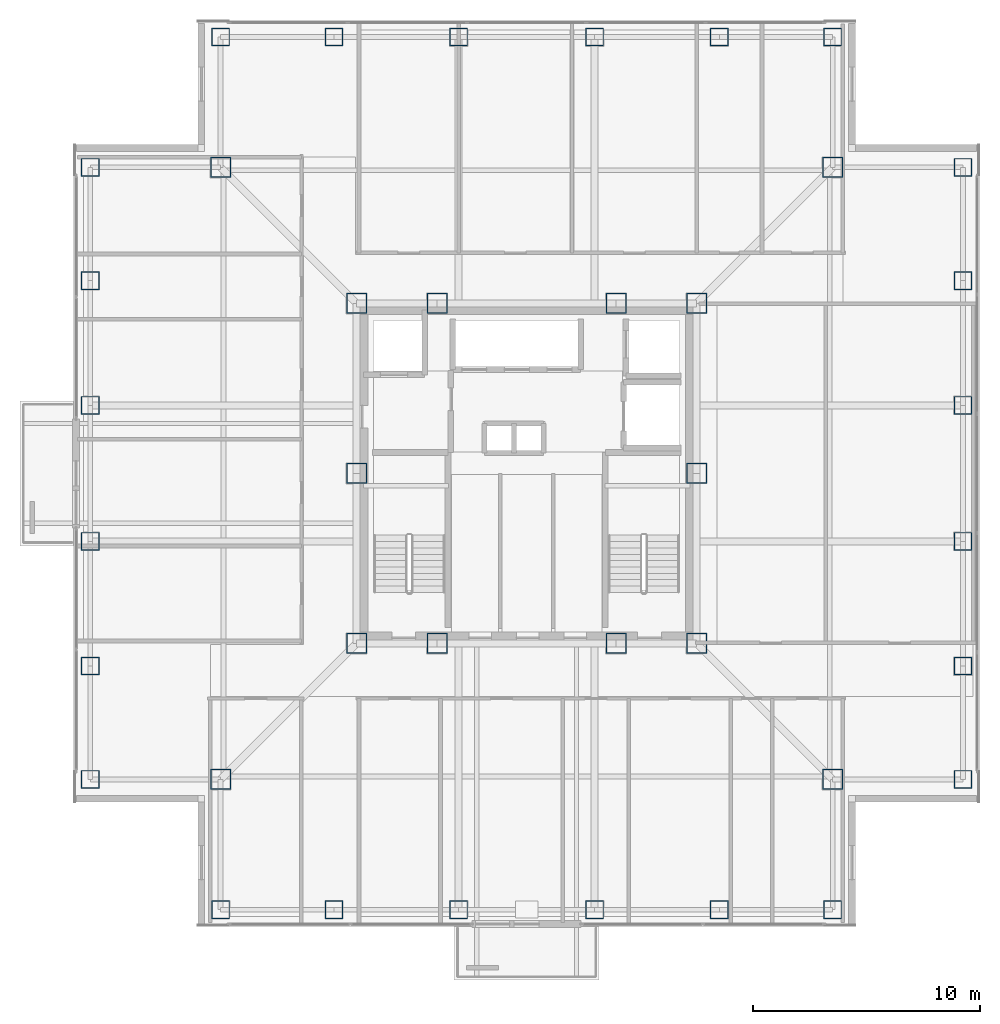
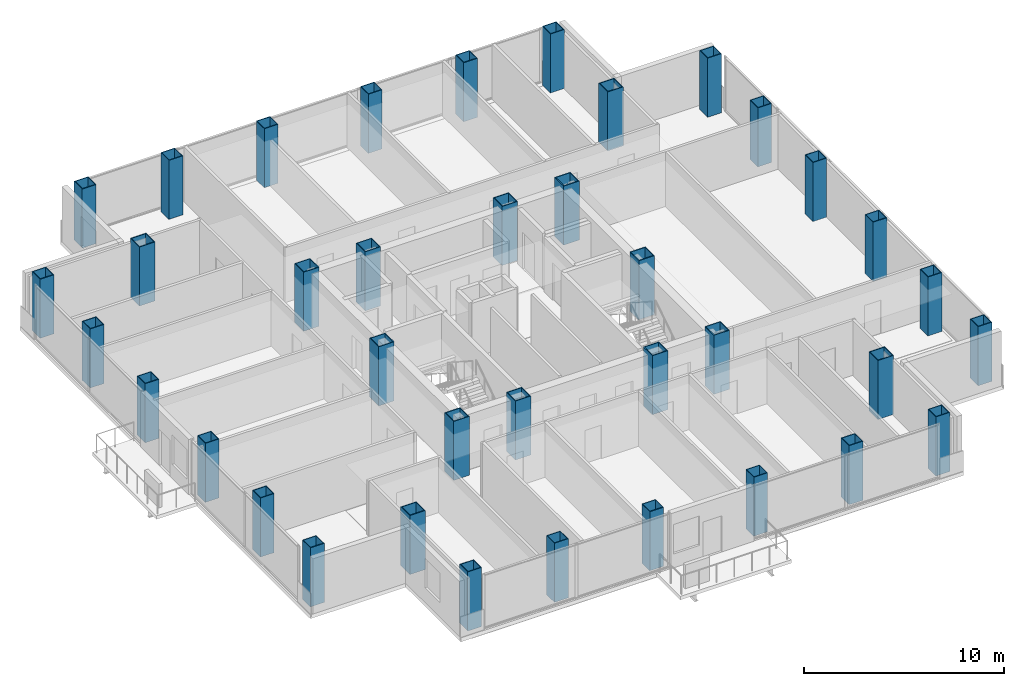
# One storey, part 1 of 16: 38 columns.
"""IFC4 building model written with IfcOpenShell, lengths in metres."""

import ifcopenshell
import ifcopenshell.guid

model = None  # the IFC model being written
_history = None  # IfcOwnerHistory: only IFC2X3 demands one
_inside = {}  # id of a spatial element -> (the spatial element, [elements in it])
_under = {}  # id of a project, library or spatial element -> (it, [spatial elements below it])
_declared = {}  # id of a project -> (the project, [libraries it declares])
_typed = {}  # id of a type object -> (the type object, [elements of that type])
_made_of = {}  # id of a material, layer set ... -> (it, [elements and type objects made of it])


def new_model(schema):
    """Start an empty IFC model of exactly this schema.

    Asked for "IFC4X3", IfcOpenShell would pick the latest addendum, in which some entities
    have other attributes; the version numbers below select the first issue.
    IFC2X3 requires an IfcOwnerHistory on every rooted entity: one is made here for all.
    """
    global model, _history
    if schema == "IFC4X3":
        model = ifcopenshell.file(schema_version=(4, 3, 0, 0))
    else:
        model = ifcopenshell.file(schema=schema)
    _inside.clear()
    _under.clear()
    _declared.clear()
    _typed.clear()
    _made_of.clear()
    _history = None
    if model.schema == "IFC2X3":
        org = make("IfcOrganization", Name="unknown")
        user = make(
            "IfcPersonAndOrganization",
            ThePerson=make("IfcPerson", FamilyName="unknown"),
            TheOrganization=org,
        )
        app = make(
            "IfcApplication",
            ApplicationDeveloper=org,
            Version="unknown",
            ApplicationFullName="unknown",
            ApplicationIdentifier="unknown",
        )
        _history = make(
            "IfcOwnerHistory",
            OwningUser=user,
            OwningApplication=app,
            ChangeAction="ADDED",
            CreationDate=0,
        )
    return model


def make(cls, **values):
    """One entity of the class cls with the attributes given. An attribute that is None is left unset."""
    return model.create_entity(
        cls, **{name: value for name, value in values.items() if value is not None}
    )


def rooted(cls, **values):
    """An entity with a GlobalId (a new one), such as an element, a storey or a relation."""
    return make(cls, GlobalId=ifcopenshell.guid.new(), OwnerHistory=_history, **values)


def si_unit(unit_type, name, prefix=None):
    """IfcSIUnit, for example si_unit("LENGTHUNIT", "METRE", prefix="MILLI")."""
    return make("IfcSIUnit", UnitType=unit_type, Prefix=prefix, Name=name)


def assignment(units):
    """IfcUnitAssignment: the units of a project."""
    return None if units is None else make("IfcUnitAssignment", Units=units)


def point(xyz):
    """IfcCartesianPoint."""
    return None if xyz is None else make("IfcCartesianPoint", Coordinates=xyz)


def direction(xyz):
    """IfcDirection."""
    return None if xyz is None else make("IfcDirection", DirectionRatios=xyz)


def frame(location, z_axis=None, x_axis=None):
    """IfcAxis2Placement3D, a coordinate frame: its origin and axes. An axis left out is left unset."""
    return make(
        "IfcAxis2Placement3D",
        Location=point(location),
        Axis=direction(z_axis),
        RefDirection=direction(x_axis),
    )


def frame_2d(location, x_axis=None):
    """IfcAxis2Placement2D, a coordinate frame in the plane: its origin and x axis."""
    return make(
        "IfcAxis2Placement2D", Location=point(location), RefDirection=direction(x_axis)
    )


def origin():
    """The frame at (0, 0, 0) with its axes left unset."""
    return frame((0.0, 0.0, 0.0))


def origin_2d():
    """The frame at (0, 0) in the plane with its x axis left unset."""
    return frame_2d((0.0, 0.0))


def place(relative_to, where):
    """IfcLocalPlacement: puts the frame where relative to a parent placement (None: the world)."""
    return make(
        "IfcLocalPlacement", PlacementRelTo=relative_to, RelativePlacement=where
    )


def context(
    kind, dimensions, precision=None, world=None, true_north=None, identifier=None
):
    """IfcGeometricRepresentationContext, for example the 3D "Model" context."""
    return make(
        "IfcGeometricRepresentationContext",
        ContextIdentifier=identifier,
        ContextType=kind,
        CoordinateSpaceDimension=dimensions,
        Precision=precision,
        WorldCoordinateSystem=world,
        TrueNorth=true_north,
    )


def subcontext(parent, identifier, kind, view, scale=None):
    """IfcGeometricRepresentationSubContext, for example "Body" below "Model"."""
    return make(
        "IfcGeometricRepresentationSubContext",
        ContextIdentifier=identifier,
        ContextType=kind,
        ParentContext=parent,
        TargetScale=scale,
        TargetView=view,
    )


def project(units=None, contexts=None):
    """IfcProject with its units and contexts."""
    return rooted(
        "IfcProject",
        Name="project",
        RepresentationContexts=contexts,
        UnitsInContext=assignment(units),
    )


def spatial(cls, under=None, at=None, **own):
    """A site, building, storey or space (cls), placed at a placement, below another one or the project."""
    s = rooted(cls, ObjectPlacement=at, **own)
    if under is not None:
        _under.setdefault(under.id(), (under, []))[1].append(s)
    return s


def profile(cls, at=None, kind="AREA", **sizes):
    """A parametric profile (cls). Its sizes go by their IFC names, for example OverallWidth=200.0."""
    return make(cls, ProfileType=kind, Position=at, **sizes)


def hollow_rectangle(**sizes):
    """IfcRectangleHollowProfileDef."""
    return profile("IfcRectangleHollowProfileDef", **sizes)


def extrude(swept, where, along, depth):
    """IfcExtrudedAreaSolid: the profile swept, set in the frame where, extruded along a direction by depth."""
    return make(
        "IfcExtrudedAreaSolid",
        SweptArea=swept,
        Position=where,
        ExtrudedDirection=direction(along),
        Depth=depth,
    )


def shape(context_of_items, identifier, shape_type, items):
    """IfcShapeRepresentation: the items that make up one representation, for example the "Body"."""
    return make(
        "IfcShapeRepresentation",
        ContextOfItems=context_of_items,
        RepresentationIdentifier=identifier,
        RepresentationType=shape_type,
        Items=items,
    )


def material(Name=None, Category=None):
    """IfcMaterial."""
    return make("IfcMaterial", Name=Name, Category=Category)


def material_profile(
    of_material, cross_section, Name=None, Category=None, Priority=None
):
    """IfcMaterialProfile: a cross section and its material."""
    return make(
        "IfcMaterialProfile",
        Name=Name,
        Material=of_material,
        Profile=cross_section,
        Priority=Priority,
        Category=Category,
    )


def profile_set(profiles, Name=None, composite=None):
    """IfcMaterialProfileSet."""
    return make(
        "IfcMaterialProfileSet",
        Name=Name,
        MaterialProfiles=profiles,
        CompositeProfile=composite,
    )


def made_of(thing, what):
    """Note that an element or type object is made of a material, layer set ...; save() writes the relation."""
    if what is not None:
        _made_of.setdefault(what.id(), (what, []))[1].append(thing)
    return thing


def type_object(cls, material=None, **own):
    """A type object (cls), such as IfcWallType, which elements share."""
    return made_of(rooted(cls, **own), material)


def element(
    cls,
    number,
    at=None,
    inside=None,
    cuts=None,
    type_object=None,
    material=None,
    context=None,
    identifier="Body",
    shape_type=None,
    held_by="IfcProductDefinitionShape",
    body=None,
    shapes=None,
    **own,
):
    """One element of the class cls, such as IfcWall. Its Tag is "e" and its number.

    at: its placement. inside: the storey or other place that contains it. cuts: it is an
    opening in that element (IfcRelVoidsElement). A single representation is given by context,
    identifier, shape_type and body (its items); several are given by shapes. held_by: the class
    of the entity that holds the representations. save() writes the other relations.
    """
    e = rooted(cls, Tag="e%d" % number, ObjectPlacement=at, **own)
    if body is not None:
        shapes = [shape(context, identifier, shape_type, body)]
    if shapes is not None:
        e.Representation = make(held_by, Representations=shapes)
    if inside is not None:
        _inside.setdefault(inside.id(), (inside, []))[1].append(e)
    if cuts is not None:
        rooted(
            "IfcRelVoidsElement", RelatingBuildingElement=cuts, RelatedOpeningElement=e
        )
    if type_object is not None:
        _typed.setdefault(type_object.id(), (type_object, []))[1].append(e)
    return made_of(e, material)


def aggregate(whole, parts):
    """IfcRelAggregates: a whole, such as a stair, and the parts it consists of."""
    return rooted("IfcRelAggregates", RelatingObject=whole, RelatedObjects=parts)


def save(model, path):
    """Write the relations noted so far, then the file.

    IfcRelAggregates (storeys below a building ...), IfcRelContainedInSpatialStructure (elements
    in a storey), IfcRelDefinesByType, IfcRelAssociatesMaterial and IfcRelDeclares: one each for
    every whole, place, type object, material and project.
    """
    for whole, parts in _under.values():
        aggregate(whole, parts)
    for where, things in _inside.values():
        rooted(
            "IfcRelContainedInSpatialStructure",
            RelatedElements=things,
            RelatingStructure=where,
        )
    for kind, things in _typed.values():
        rooted("IfcRelDefinesByType", RelatedObjects=things, RelatingType=kind)
    for what, things in _made_of.values():
        rooted("IfcRelAssociatesMaterial", RelatedObjects=things, RelatingMaterial=what)
    for by, libraries in _declared.values():
        rooted("IfcRelDeclares", RelatingContext=by, RelatedDefinitions=libraries)
    model.write(path)


model = new_model("IFC4")

# Units and contexts
model_context = context("Model", 3, precision=1e-05, world=origin(), true_north=direction((0.0, 1.0)))
body_context = subcontext(model_context, "Body", "Model", "MODEL_VIEW")
ifc_project = project(units=[si_unit("LENGTHUNIT", "METRE"), si_unit("AREAUNIT", "SQUARE_METRE"), si_unit("VOLUMEUNIT", "CUBIC_METRE"), si_unit("PLANEANGLEUNIT", "RADIAN"), si_unit("MASSUNIT", "GRAM", prefix="KILO")], contexts=[model_context])

# Site, building, storey
site_placement = place(None, origin())
site = spatial("IfcSite", under=ifc_project, at=site_placement, CompositionType="ELEMENT")
building_placement = place(site_placement, origin())
building = spatial("IfcBuilding", under=site, at=building_placement, Name="Trevonay Congress Spire", CompositionType="ELEMENT")
storey_placement = place(building_placement, frame((0.0, 0.0, 177.0)))
storey = spatial("IfcBuildingStorey", under=building, at=storey_placement, Name="L45", CompositionType="ELEMENT", Elevation=177.0)

# Columns
ifc_material = material(Name="Steel ASTM A572 Grade 50", Category="steel")
ifc_material_profile_1 = material_profile(ifc_material, hollow_rectangle(XDim=0.89990234375, YDim=0.89990234375, WallThickness=0.044921875, at=origin_2d()), Name="BOX 900x900x45")
ifc_profile_set_1 = profile_set([ifc_material_profile_1], Name="Steel ASTM A572 Grade 50")
column_type_1 = type_object("IfcColumnType", Name="COL-CORE-BOX900", PredefinedType="COLUMN", material=ifc_profile_set_1)
for number, where, z_axis, x_axis, name in (
    (1, (-7.5, -7.5, 0.0), (0.0, 0.0, 1.0), (1.0, 0.0, 0.0), "L45 column C04 at CC-SW"),
    (2, (-3.949951171875, -7.5, 0.0), (0.0, 0.0, 1.0), (1.0, 0.0, 0.0), "L45 column C04 at CC-SMW"),
    (3, (3.949951171875, -7.5, 0.0), (0.0, 0.0, 1.0), (1.0, 0.0, 0.0), "L45 column C04 at CC-SME"),
    (4, (7.5, -7.5, 0.0), (0.0, 0.0, 1.0), (1.0, 0.0, 0.0), "L45 column C04 at CC-SE"),
    (5, (7.5, 0.0, 0.0), (0.0, 0.0, 1.0), (1.0, 0.0, 0.0), "L45 column C04 at CC-E"),
    (6, (7.5, 7.5, 0.0), (0.0, 0.0, 1.0), (1.0, 0.0, 0.0), "L45 column C04 at CC-NE"),
    (7, (3.949951171875, 7.5, 0.0), (0.0, 0.0, 1.0), (1.0, 0.0, 0.0), "L45 column C04 at CC-NME"),
    (8, (-3.949951171875, 7.5, 0.0), (0.0, 0.0, 1.0), (1.0, 0.0, 0.0), "L45 column C04 at CC-NMW"),
    (9, (-7.5, 7.5, 0.0), (0.0, 0.0, 1.0), (1.0, 0.0, 0.0), "L45 column C04 at CC-NW"),
    (10, (-7.5, 0.0, 0.0), (0.0, 0.0, 1.0), (1.0, 0.0, 0.0), "L45 column C04 at CC-W"),
):
    element("IfcColumn", number, at=place(storey_placement, frame(where, z_axis=z_axis, x_axis=x_axis)), inside=storey, type_object=column_type_1, Name=name, PredefinedType="COLUMN", context=body_context, shape_type="SweptSolid", body=[
        extrude(hollow_rectangle(XDim=0.89990234375, YDim=0.89990234375, WallThickness=0.044921875, at=origin_2d()), origin(), (0.0, 0.0, 1.0), 3.60009765625),
    ])
ifc_material_profile_2 = material_profile(ifc_material, hollow_rectangle(XDim=0.800048828125, YDim=0.800048828125, WallThickness=0.0400390625, at=origin_2d()), Name="BOX 800x800x40")
ifc_profile_set_2 = profile_set([ifc_material_profile_2], Name="Steel ASTM A572 Grade 50")
column_type_2 = type_object("IfcColumnType", Name="COL-TUBE-BOX800", PredefinedType="COLUMN", material=ifc_profile_set_2)
for number, where, z_axis, x_axis, name in (
    (11, (-13.5, -19.25, 0.0), (0.0, 0.0, 1.0), (1.0, 0.0, 0.0), "L45 column C16 at TS-1"),
    (12, (-13.5, 19.25, 0.0), (0.0, 0.0, 1.0), (1.0, 0.0, 0.0), "L45 column C16 at TN-1"),
    (13, (-19.25, -13.5, 0.0), (0.0, 0.0, 1.0), (1.0, 0.0, 0.0), "L45 column C16 at TW-1"),
    (14, (19.25, -13.5, 0.0), (0.0, 0.0, 1.0), (1.0, 0.0, 0.0), "L45 column C16 at TE-1"),
    (15, (-8.5, -19.25, 0.0), (0.0, 0.0, 1.0), (1.0, 0.0, 0.0), "L45 column C16 at TS-2"),
    (16, (-8.5, 19.25, 0.0), (0.0, 0.0, 1.0), (1.0, 0.0, 0.0), "L45 column C16 at TN-2"),
    (17, (-19.25, -8.5, 0.0), (0.0, 0.0, 1.0), (1.0, 0.0, 0.0), "L45 column C16 at TW-2"),
    (18, (19.25, -8.5, 0.0), (0.0, 0.0, 1.0), (1.0, 0.0, 0.0), "L45 column C16 at TE-2"),
    (19, (-3.0, -19.25, 0.0), (0.0, 0.0, 1.0), (1.0, 0.0, 0.0), "L45 column C16 at TS-3"),
    (20, (-3.0, 19.25, 0.0), (0.0, 0.0, 1.0), (1.0, 0.0, 0.0), "L45 column C16 at TN-3"),
    (21, (-19.25, -3.0, 0.0), (0.0, 0.0, 1.0), (1.0, 0.0, 0.0), "L45 column C16 at TW-3"),
    (22, (19.25, -3.0, 0.0), (0.0, 0.0, 1.0), (1.0, 0.0, 0.0), "L45 column C16 at TE-3"),
    (23, (3.0, -19.25, 0.0), (0.0, 0.0, 1.0), (1.0, 0.0, 0.0), "L45 column C16 at TS-4"),
    (24, (3.0, 19.25, 0.0), (0.0, 0.0, 1.0), (1.0, 0.0, 0.0), "L45 column C16 at TN-4"),
    (25, (-19.25, 3.0, 0.0), (0.0, 0.0, 1.0), (1.0, 0.0, 0.0), "L45 column C16 at TW-4"),
    (26, (19.25, 3.0, 0.0), (0.0, 0.0, 1.0), (1.0, 0.0, 0.0), "L45 column C16 at TE-4"),
    (27, (8.5, -19.25, 0.0), (0.0, 0.0, 1.0), (1.0, 0.0, 0.0), "L45 column C16 at TS-5"),
    (28, (8.5, 19.25, 0.0), (0.0, 0.0, 1.0), (1.0, 0.0, 0.0), "L45 column C16 at TN-5"),
    (29, (-19.25, 8.5, 0.0), (0.0, 0.0, 1.0), (1.0, 0.0, 0.0), "L45 column C16 at TW-5"),
    (30, (19.25, 8.5, 0.0), (0.0, 0.0, 1.0), (1.0, 0.0, 0.0), "L45 column C16 at TE-5"),
    (31, (13.5, -19.25, 0.0), (0.0, 0.0, 1.0), (1.0, 0.0, 0.0), "L45 column C16 at TS-6"),
    (32, (13.5, 19.25, 0.0), (0.0, 0.0, 1.0), (1.0, 0.0, 0.0), "L45 column C16 at TN-6"),
    (33, (-19.25, 13.5, 0.0), (0.0, 0.0, 1.0), (1.0, 0.0, 0.0), "L45 column C16 at TW-6"),
    (34, (19.25, 13.5, 0.0), (0.0, 0.0, 1.0), (1.0, 0.0, 0.0), "L45 column C16 at TE-6"),
):
    element("IfcColumn", number, at=place(storey_placement, frame(where, z_axis=z_axis, x_axis=x_axis)), inside=storey, type_object=column_type_2, Name=name, PredefinedType="COLUMN", context=body_context, shape_type="SweptSolid", body=[
        extrude(hollow_rectangle(XDim=0.800048828125, YDim=0.800048828125, WallThickness=0.0400390625, at=origin_2d()), origin(), (0.0, 0.0, 1.0), 3.60009765625),
    ])
ifc_material_profile_3 = material_profile(ifc_material, hollow_rectangle(XDim=0.89990234375, YDim=0.89990234375, WallThickness=0.044921875, at=origin_2d()), Name="BOX 900x900x45")
ifc_profile_set_3 = profile_set([ifc_material_profile_3], Name="Steel ASTM A572 Grade 50")
column_type_3 = type_object("IfcColumnType", Name="COL-TUBE-BOX900", PredefinedType="COLUMN", material=ifc_profile_set_3)
for number, where, z_axis, x_axis, name in (
    (35, (-13.5, -13.5, 0.0), (0.0, 0.0, 1.0), (1.0, 0.0, 0.0), "L45 column C15 at NC-SW"),
    (36, (13.5, -13.5, 0.0), (0.0, 0.0, 1.0), (1.0, 0.0, 0.0), "L45 column C15 at NC-SE"),
    (37, (13.5, 13.5, 0.0), (0.0, 0.0, 1.0), (1.0, 0.0, 0.0), "L45 column C15 at NC-NE"),
    (38, (-13.5, 13.5, 0.0), (0.0, 0.0, 1.0), (1.0, 0.0, 0.0), "L45 column C15 at NC-NW"),
):
    element("IfcColumn", number, at=place(storey_placement, frame(where, z_axis=z_axis, x_axis=x_axis)), inside=storey, type_object=column_type_3, Name=name, PredefinedType="COLUMN", context=body_context, shape_type="SweptSolid", body=[
        extrude(hollow_rectangle(XDim=0.89990234375, YDim=0.89990234375, WallThickness=0.044921875, at=origin_2d()), origin(), (0.0, 0.0, 1.0), 3.60009765625),
    ])

save(model, "model.ifc")
